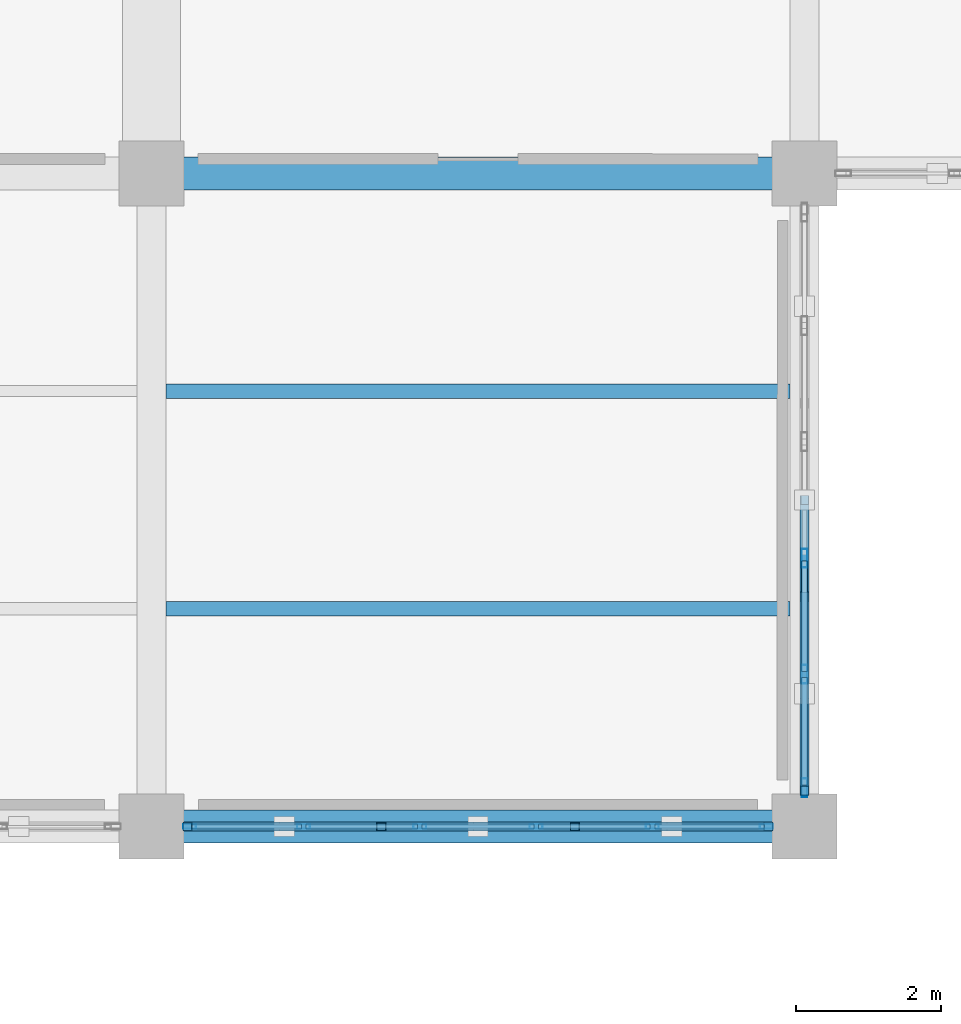
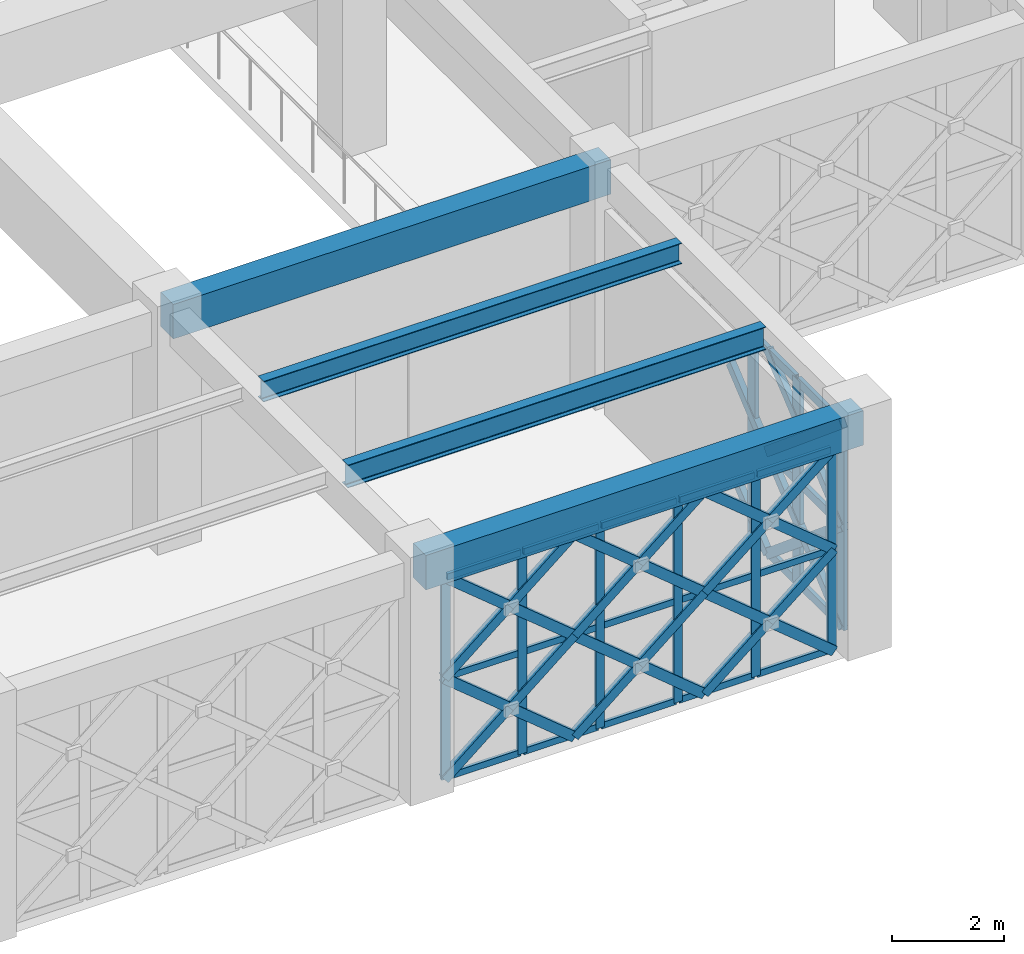
# One storey, part 95 of 155: 56 members, 4 beams, 2 elements without a shape of their own.
"""IFC4 building model written with IfcOpenShell, lengths in metres."""

import ifcopenshell
import ifcopenshell.guid

model = None  # the IFC model being written
_history = None  # IfcOwnerHistory: only IFC2X3 demands one
_inside = {}  # id of a spatial element -> (the spatial element, [elements in it])
_under = {}  # id of a project, library or spatial element -> (it, [spatial elements below it])
_declared = {}  # id of a project -> (the project, [libraries it declares])
_typed = {}  # id of a type object -> (the type object, [elements of that type])
_made_of = {}  # id of a material, layer set ... -> (it, [elements and type objects made of it])


def new_model(schema):
    """Start an empty IFC model of exactly this schema.

    Asked for "IFC4X3", IfcOpenShell would pick the latest addendum, in which some entities
    have other attributes; the version numbers below select the first issue.
    IFC2X3 requires an IfcOwnerHistory on every rooted entity: one is made here for all.
    """
    global model, _history
    if schema == "IFC4X3":
        model = ifcopenshell.file(schema_version=(4, 3, 0, 0))
    else:
        model = ifcopenshell.file(schema=schema)
    _inside.clear()
    _under.clear()
    _declared.clear()
    _typed.clear()
    _made_of.clear()
    _history = None
    if model.schema == "IFC2X3":
        org = make("IfcOrganization", Name="unknown")
        user = make(
            "IfcPersonAndOrganization",
            ThePerson=make("IfcPerson", FamilyName="unknown"),
            TheOrganization=org,
        )
        app = make(
            "IfcApplication",
            ApplicationDeveloper=org,
            Version="unknown",
            ApplicationFullName="unknown",
            ApplicationIdentifier="unknown",
        )
        _history = make(
            "IfcOwnerHistory",
            OwningUser=user,
            OwningApplication=app,
            ChangeAction="ADDED",
            CreationDate=0,
        )
    return model


def make(cls, **values):
    """One entity of the class cls with the attributes given. An attribute that is None is left unset."""
    return model.create_entity(
        cls, **{name: value for name, value in values.items() if value is not None}
    )


def rooted(cls, **values):
    """An entity with a GlobalId (a new one), such as an element, a storey or a relation."""
    return make(cls, GlobalId=ifcopenshell.guid.new(), OwnerHistory=_history, **values)


def si_unit(unit_type, name, prefix=None):
    """IfcSIUnit, for example si_unit("LENGTHUNIT", "METRE", prefix="MILLI")."""
    return make("IfcSIUnit", UnitType=unit_type, Prefix=prefix, Name=name)


def assignment(units):
    """IfcUnitAssignment: the units of a project."""
    return None if units is None else make("IfcUnitAssignment", Units=units)


def point(xyz):
    """IfcCartesianPoint."""
    return None if xyz is None else make("IfcCartesianPoint", Coordinates=xyz)


def direction(xyz):
    """IfcDirection."""
    return None if xyz is None else make("IfcDirection", DirectionRatios=xyz)


def frame(location, z_axis=None, x_axis=None):
    """IfcAxis2Placement3D, a coordinate frame: its origin and axes. An axis left out is left unset."""
    return make(
        "IfcAxis2Placement3D",
        Location=point(location),
        Axis=direction(z_axis),
        RefDirection=direction(x_axis),
    )


def frame_2d(location, x_axis=None):
    """IfcAxis2Placement2D, a coordinate frame in the plane: its origin and x axis."""
    return make(
        "IfcAxis2Placement2D", Location=point(location), RefDirection=direction(x_axis)
    )


def origin():
    """The frame at (0, 0, 0) with its axes left unset."""
    return frame((0.0, 0.0, 0.0))


def origin_2d():
    """The frame at (0, 0) in the plane with its x axis left unset."""
    return frame_2d((0.0, 0.0))


def place(relative_to, where):
    """IfcLocalPlacement: puts the frame where relative to a parent placement (None: the world)."""
    return make(
        "IfcLocalPlacement", PlacementRelTo=relative_to, RelativePlacement=where
    )


def context(
    kind, dimensions, precision=None, world=None, true_north=None, identifier=None
):
    """IfcGeometricRepresentationContext, for example the 3D "Model" context."""
    return make(
        "IfcGeometricRepresentationContext",
        ContextIdentifier=identifier,
        ContextType=kind,
        CoordinateSpaceDimension=dimensions,
        Precision=precision,
        WorldCoordinateSystem=world,
        TrueNorth=true_north,
    )


def subcontext(parent, identifier, kind, view, scale=None):
    """IfcGeometricRepresentationSubContext, for example "Body" below "Model"."""
    return make(
        "IfcGeometricRepresentationSubContext",
        ContextIdentifier=identifier,
        ContextType=kind,
        ParentContext=parent,
        TargetScale=scale,
        TargetView=view,
    )


def project(units=None, contexts=None):
    """IfcProject with its units and contexts."""
    return rooted(
        "IfcProject",
        Name="project",
        RepresentationContexts=contexts,
        UnitsInContext=assignment(units),
    )


def spatial(cls, under=None, at=None, **own):
    """A site, building, storey or space (cls), placed at a placement, below another one or the project."""
    s = rooted(cls, ObjectPlacement=at, **own)
    if under is not None:
        _under.setdefault(under.id(), (under, []))[1].append(s)
    return s


def profile(cls, at=None, kind="AREA", **sizes):
    """A parametric profile (cls). Its sizes go by their IFC names, for example OverallWidth=200.0."""
    return make(cls, ProfileType=kind, Position=at, **sizes)


def rectangle(**sizes):
    """IfcRectangleProfileDef."""
    return profile("IfcRectangleProfileDef", **sizes)


def hollow_rectangle(**sizes):
    """IfcRectangleHollowProfileDef."""
    return profile("IfcRectangleHollowProfileDef", **sizes)


def i_section(**sizes):
    """IfcIShapeProfileDef."""
    return profile("IfcIShapeProfileDef", **sizes)


def extrude(swept, where, along, depth):
    """IfcExtrudedAreaSolid: the profile swept, set in the frame where, extruded along a direction by depth."""
    return make(
        "IfcExtrudedAreaSolid",
        SweptArea=swept,
        Position=where,
        ExtrudedDirection=direction(along),
        Depth=depth,
    )


def shape(context_of_items, identifier, shape_type, items):
    """IfcShapeRepresentation: the items that make up one representation, for example the "Body"."""
    return make(
        "IfcShapeRepresentation",
        ContextOfItems=context_of_items,
        RepresentationIdentifier=identifier,
        RepresentationType=shape_type,
        Items=items,
    )


def material(Name=None, Category=None):
    """IfcMaterial."""
    return make("IfcMaterial", Name=Name, Category=Category)


def material_profile(
    of_material, cross_section, Name=None, Category=None, Priority=None
):
    """IfcMaterialProfile: a cross section and its material."""
    return make(
        "IfcMaterialProfile",
        Name=Name,
        Material=of_material,
        Profile=cross_section,
        Priority=Priority,
        Category=Category,
    )


def profile_set(profiles, Name=None, composite=None):
    """IfcMaterialProfileSet."""
    return make(
        "IfcMaterialProfileSet",
        Name=Name,
        MaterialProfiles=profiles,
        CompositeProfile=composite,
    )


def made_of(thing, what):
    """Note that an element or type object is made of a material, layer set ...; save() writes the relation."""
    if what is not None:
        _made_of.setdefault(what.id(), (what, []))[1].append(thing)
    return thing


def type_object(cls, material=None, **own):
    """A type object (cls), such as IfcWallType, which elements share."""
    return made_of(rooted(cls, **own), material)


def element(
    cls,
    number,
    at=None,
    inside=None,
    cuts=None,
    type_object=None,
    material=None,
    context=None,
    identifier="Body",
    shape_type=None,
    held_by="IfcProductDefinitionShape",
    body=None,
    shapes=None,
    **own,
):
    """One element of the class cls, such as IfcWall. Its Tag is "e" and its number.

    at: its placement. inside: the storey or other place that contains it. cuts: it is an
    opening in that element (IfcRelVoidsElement). A single representation is given by context,
    identifier, shape_type and body (its items); several are given by shapes. held_by: the class
    of the entity that holds the representations. save() writes the other relations.
    """
    e = rooted(cls, Tag="e%d" % number, ObjectPlacement=at, **own)
    if body is not None:
        shapes = [shape(context, identifier, shape_type, body)]
    if shapes is not None:
        e.Representation = make(held_by, Representations=shapes)
    if inside is not None:
        _inside.setdefault(inside.id(), (inside, []))[1].append(e)
    if cuts is not None:
        rooted(
            "IfcRelVoidsElement", RelatingBuildingElement=cuts, RelatedOpeningElement=e
        )
    if type_object is not None:
        _typed.setdefault(type_object.id(), (type_object, []))[1].append(e)
    return made_of(e, material)


def aggregate(whole, parts):
    """IfcRelAggregates: a whole, such as a stair, and the parts it consists of."""
    return rooted("IfcRelAggregates", RelatingObject=whole, RelatedObjects=parts)


def save(model, path):
    """Write the relations noted so far, then the file.

    IfcRelAggregates (storeys below a building ...), IfcRelContainedInSpatialStructure (elements
    in a storey), IfcRelDefinesByType, IfcRelAssociatesMaterial and IfcRelDeclares: one each for
    every whole, place, type object, material and project.
    """
    for whole, parts in _under.values():
        aggregate(whole, parts)
    for where, things in _inside.values():
        rooted(
            "IfcRelContainedInSpatialStructure",
            RelatedElements=things,
            RelatingStructure=where,
        )
    for kind, things in _typed.values():
        rooted("IfcRelDefinesByType", RelatedObjects=things, RelatingType=kind)
    for what, things in _made_of.values():
        rooted("IfcRelAssociatesMaterial", RelatedObjects=things, RelatingMaterial=what)
    for by, libraries in _declared.values():
        rooted("IfcRelDeclares", RelatingContext=by, RelatedDefinitions=libraries)
    model.write(path)


model = new_model("IFC4")

# Units and contexts
model_context = context("Model", 3, precision=1e-05, world=origin(), true_north=direction((0.0, 1.0)))
body_context = subcontext(model_context, "Body", "Model", "MODEL_VIEW")
ifc_project = project(units=[si_unit("LENGTHUNIT", "METRE"), si_unit("AREAUNIT", "SQUARE_METRE"), si_unit("VOLUMEUNIT", "CUBIC_METRE"), si_unit("PLANEANGLEUNIT", "RADIAN"), si_unit("MASSUNIT", "GRAM", prefix="KILO")], contexts=[model_context])

# Site, building, storey
site_placement = place(None, origin())
site = spatial("IfcSite", under=ifc_project, at=site_placement, CompositionType="ELEMENT")
building_placement = place(site_placement, origin())
building = spatial("IfcBuilding", under=site, at=building_placement, Name="Haizhuo Lancet Aquarium", CompositionType="ELEMENT")
storey_placement = place(building_placement, frame((0.0, 0.0, 10.800048828125)))
storey = spatial("IfcBuildingStorey", under=building, at=storey_placement, Name="L02", CompositionType="ELEMENT", Elevation=10.800048828125)

# Beams
ifc_material_1 = material(Name="Concrete C40/50", Category="concrete")
ifc_material_profile_1 = material_profile(ifc_material_1, rectangle(XDim=0.449951171875, YDim=0.75, at=origin_2d()), Name="RC-BM 450x750")
ifc_profile_set_1 = profile_set([ifc_material_profile_1], Name="Concrete C40/50")
beam_type_1 = type_object("IfcBeamType", Name="BM-RC-450x750", PredefinedType="BEAM", material=ifc_profile_set_1)
for number, where, z_axis, x_axis, name in (
    (1, (45.0, -36.0, 4.784912109375), (1.0, 0.0, 0.0), (0.0, 1.0, 0.0), "L02 V3 primary girder BM-L02-V3-014"),
    (2, (45.0, -27.0, 4.784912109375), (1.0, 0.0, 0.0), (0.0, 1.0, 0.0), "L02 V3 primary girder BM-L02-V3-015"),
):
    element("IfcBeam", number, at=place(storey_placement, frame(where, z_axis=z_axis, x_axis=x_axis)), inside=storey, type_object=beam_type_1, Name=name, PredefinedType="BEAM", context=body_context, shape_type="SweptSolid", body=[
        extrude(rectangle(XDim=0.449951171875, YDim=0.75, at=origin_2d()), origin(), (0.0, 0.0, 1.0), 9.0),
    ])

# Curtain wall, members
ifc_material_2 = material(Name="Aluminium 6063-T6", Category="aluminium")
curtain_wall_type_1 = type_object("IfcCurtainWallType", Name="CWO-8010x4410", PredefinedType="NOTDEFINED", material=ifc_material_2)
curtain_wall_1_placement = place(storey_placement, origin())
curtain_wall_1 = element("IfcCurtainWall", 3, at=curtain_wall_1_placement, inside=storey, type_object=curtain_wall_type_1, Name="L02 curtain wall CW-V3-L02-061", PredefinedType="NOTDEFINED")
ifc_material_profile_2 = material_profile(ifc_material_2, hollow_rectangle(XDim=0.06494140625, YDim=0.179931640625, WallThickness=0.00390625, at=origin_2d()), Name="ALU-M 65x180x4")
ifc_profile_set_2 = profile_set([ifc_material_profile_2], Name="Aluminium 6063-T6")
member_type_1 = type_object("IfcMemberType", Name="CW-MUL-1", PredefinedType="MULLION", material=ifc_profile_set_2)
member_1_placement = place(storey_placement, frame((53.472900390625, -36.0, 0.0), z_axis=(0.0, 0.0, 1.0), x_axis=(0.0, -1.0, 0.0)))
member_1 = element("IfcMember", 4, at=member_1_placement, type_object=member_type_1, Name="CWO-80x44 mullion 1", PredefinedType="MULLION", context=body_context, shape_type="SweptSolid", body=[
    extrude(hollow_rectangle(XDim=0.06494140625, YDim=0.179931640625, WallThickness=0.00390625, at=origin_2d()), origin(), (0.0, 0.0, 1.0), 4.409912109375),
])
member_2_placement = place(storey_placement, frame((51.903076171875, -36.0, 0.0), z_axis=(0.0, 0.0, 1.0), x_axis=(0.0, -1.0, 0.0)))
member_2 = element("IfcMember", 5, at=member_2_placement, type_object=member_type_1, Name="CWO-80x44 mullion 2", PredefinedType="MULLION", context=body_context, shape_type="SweptSolid", body=[
    extrude(hollow_rectangle(XDim=0.06494140625, YDim=0.179931640625, WallThickness=0.00390625, at=origin_2d()), origin(), (0.0, 0.0, 1.0), 4.409912109375),
])
member_3_placement = place(storey_placement, frame((50.301025390625, -36.0, 0.0), z_axis=(0.0, 0.0, 1.0), x_axis=(0.0, -1.0, 0.0)))
member_3 = element("IfcMember", 6, at=member_3_placement, type_object=member_type_1, Name="CWO-80x44 mullion 3", PredefinedType="MULLION", context=body_context, shape_type="SweptSolid", body=[
    extrude(hollow_rectangle(XDim=0.06494140625, YDim=0.179931640625, WallThickness=0.00390625, at=origin_2d()), origin(), (0.0, 0.0, 1.0), 4.409912109375),
])
member_4_placement = place(storey_placement, frame((48.698974609375, -36.0, 0.0), z_axis=(0.0, 0.0, 1.0), x_axis=(0.0, -1.0, 0.0)))
member_4 = element("IfcMember", 7, at=member_4_placement, type_object=member_type_1, Name="CWO-80x44 mullion 4", PredefinedType="MULLION", context=body_context, shape_type="SweptSolid", body=[
    extrude(hollow_rectangle(XDim=0.06494140625, YDim=0.179931640625, WallThickness=0.00390625, at=origin_2d()), origin(), (0.0, 0.0, 1.0), 4.409912109375),
])
member_5_placement = place(storey_placement, frame((47.096923828125, -36.0, 0.0), z_axis=(0.0, 0.0, 1.0), x_axis=(0.0, -1.0, 0.0)))
member_5 = element("IfcMember", 8, at=member_5_placement, type_object=member_type_1, Name="CWO-80x44 mullion 5", PredefinedType="MULLION", context=body_context, shape_type="SweptSolid", body=[
    extrude(hollow_rectangle(XDim=0.06494140625, YDim=0.179931640625, WallThickness=0.00390625, at=origin_2d()), origin(), (0.0, 0.0, 1.0), 4.409912109375),
])
member_6_placement = place(storey_placement, frame((45.527099609375, -36.0, 0.0), z_axis=(0.0, 0.0, 1.0), x_axis=(0.0, -1.0, 0.0)))
member_6 = element("IfcMember", 9, at=member_6_placement, type_object=member_type_1, Name="CWO-80x44 mullion 6", PredefinedType="MULLION", context=body_context, shape_type="SweptSolid", body=[
    extrude(hollow_rectangle(XDim=0.06494140625, YDim=0.179931640625, WallThickness=0.00390625, at=origin_2d()), origin(), (0.0, 0.0, 1.0), 4.409912109375),
])

curtain_wall_type_2 = type_object("IfcCurtainWallType", Name="CWO-8010x4460", PredefinedType="NOTDEFINED", material=ifc_material_2)
curtain_wall_2_placement = place(storey_placement, origin())
curtain_wall_2 = element("IfcCurtainWall", 10, at=curtain_wall_2_placement, inside=storey, type_object=curtain_wall_type_2, Name="L02 curtain wall CW-V3-L02-060", PredefinedType="NOTDEFINED")
ifc_material_profile_3 = material_profile(ifc_material_2, hollow_rectangle(XDim=0.080078125, YDim=0.260009765625, WallThickness=0.0048828125, at=origin_2d()), Name="ALU-M 80x260x5")
ifc_profile_set_3 = profile_set([ifc_material_profile_3], Name="Aluminium 6063-T6")
member_type_2 = type_object("IfcMemberType", Name="CW-MUL-3", PredefinedType="MULLION", material=ifc_profile_set_3)
member_7_placement = place(storey_placement, frame((54.0, -32.301025390625, 0.0), z_axis=(0.0, 0.0, 1.0), x_axis=(1.0, 0.0, 0.0)))
member_7 = element("IfcMember", 11, at=member_7_placement, type_object=member_type_2, Name="CWO-80x44 mullion 4", PredefinedType="MULLION", context=body_context, shape_type="SweptSolid", body=[
    extrude(hollow_rectangle(XDim=0.080078125, YDim=0.260009765625, WallThickness=0.0048828125, at=origin_2d()), origin(), (0.0, 0.0, 1.0), 4.4599609375),
])
member_8_placement = place(storey_placement, frame((54.0, -33.903076171875, 0.0), z_axis=(0.0, 0.0, 1.0), x_axis=(1.0, 0.0, 0.0)))
member_8 = element("IfcMember", 12, at=member_8_placement, type_object=member_type_2, Name="CWO-80x44 mullion 5", PredefinedType="MULLION", context=body_context, shape_type="SweptSolid", body=[
    extrude(hollow_rectangle(XDim=0.080078125, YDim=0.260009765625, WallThickness=0.0048828125, at=origin_2d()), origin(), (0.0, 0.0, 1.0), 4.4599609375),
])
member_9_placement = place(storey_placement, frame((54.0, -35.465087890625, 0.0), z_axis=(0.0, 0.0, 1.0), x_axis=(1.0, 0.0, 0.0)))
member_9 = element("IfcMember", 13, at=member_9_placement, type_object=member_type_2, Name="CWO-80x44 mullion 6", PredefinedType="MULLION", context=body_context, shape_type="SweptSolid", body=[
    extrude(hollow_rectangle(XDim=0.080078125, YDim=0.260009765625, WallThickness=0.0048828125, at=origin_2d()), origin(), (0.0, 0.0, 1.0), 4.4599609375),
])

# Member
ifc_material_profile_4 = material_profile(ifc_material_2, hollow_rectangle(XDim=0.06494140625, YDim=0.139892578125, WallThickness=0.00390625, at=origin_2d()), Name="ALU-T 65x140x4")
ifc_profile_set_4 = profile_set([ifc_material_profile_4], Name="Aluminium 6063-T6")
member_type_3 = type_object("IfcMemberType", Name="CW-TRN-1", PredefinedType="NOTDEFINED", material=ifc_profile_set_4)
member_10_placement = place(storey_placement, frame((53.43994140625, -36.0, 0.032958984375), z_axis=(-1.0, 0.0, 0.0), x_axis=(0.0, -1.0, 0.0)))
member_10 = element("IfcMember", 14, at=member_10_placement, type_object=member_type_3, Name="CWO-80x44 transom 1.1", ObjectType="TRANSOM", PredefinedType="USERDEFINED", context=body_context, shape_type="SweptSolid", body=[
    extrude(hollow_rectangle(XDim=0.06494140625, YDim=0.139892578125, WallThickness=0.00390625, at=origin_2d()), origin(), (0.0, 0.0, 1.0), 1.50390625),
])

member_11_placement = place(storey_placement, frame((53.43994140625, -36.0, 2.204833984375), z_axis=(-1.0, 0.0, 0.0), x_axis=(0.0, -1.0, 0.0)))
member_11 = element("IfcMember", 15, at=member_11_placement, type_object=member_type_3, Name="CWO-80x44 transom 1.2", ObjectType="TRANSOM", PredefinedType="USERDEFINED", context=body_context, shape_type="SweptSolid", body=[
    extrude(hollow_rectangle(XDim=0.06494140625, YDim=0.139892578125, WallThickness=0.00390625, at=origin_2d()), origin(), (0.0, 0.0, 1.0), 1.50390625),
])

member_12_placement = place(storey_placement, frame((53.43994140625, -36.0, 4.3779296875), z_axis=(-1.0, 0.0, 0.0), x_axis=(0.0, -1.0, 0.0)))
member_12 = element("IfcMember", 16, at=member_12_placement, type_object=member_type_3, Name="CWO-80x44 transom 1.3", ObjectType="TRANSOM", PredefinedType="USERDEFINED", context=body_context, shape_type="SweptSolid", body=[
    extrude(hollow_rectangle(XDim=0.06494140625, YDim=0.139892578125, WallThickness=0.00390625, at=origin_2d()), origin(), (0.0, 0.0, 1.0), 1.50390625),
])

member_13_placement = place(storey_placement, frame((51.8701171875, -36.0, 0.032958984375), z_axis=(-1.0, 0.0, 0.0), x_axis=(0.0, -1.0, 0.0)))
member_13 = element("IfcMember", 17, at=member_13_placement, type_object=member_type_3, Name="CWO-80x44 transom 2.1", ObjectType="TRANSOM", PredefinedType="USERDEFINED", context=body_context, shape_type="SweptSolid", body=[
    extrude(hollow_rectangle(XDim=0.06494140625, YDim=0.139892578125, WallThickness=0.00390625, at=origin_2d()), origin(), (0.0, 0.0, 1.0), 1.5361328125),
])

member_14_placement = place(storey_placement, frame((51.8701171875, -36.0, 2.204833984375), z_axis=(-1.0, 0.0, 0.0), x_axis=(0.0, -1.0, 0.0)))
member_14 = element("IfcMember", 18, at=member_14_placement, type_object=member_type_3, Name="CWO-80x44 transom 2.2", ObjectType="TRANSOM", PredefinedType="USERDEFINED", context=body_context, shape_type="SweptSolid", body=[
    extrude(hollow_rectangle(XDim=0.06494140625, YDim=0.139892578125, WallThickness=0.00390625, at=origin_2d()), origin(), (0.0, 0.0, 1.0), 1.5361328125),
])

member_15_placement = place(storey_placement, frame((51.8701171875, -36.0, 4.3779296875), z_axis=(-1.0, 0.0, 0.0), x_axis=(0.0, -1.0, 0.0)))
member_15 = element("IfcMember", 19, at=member_15_placement, type_object=member_type_3, Name="CWO-80x44 transom 2.3", ObjectType="TRANSOM", PredefinedType="USERDEFINED", context=body_context, shape_type="SweptSolid", body=[
    extrude(hollow_rectangle(XDim=0.06494140625, YDim=0.139892578125, WallThickness=0.00390625, at=origin_2d()), origin(), (0.0, 0.0, 1.0), 1.5361328125),
])

member_16_placement = place(storey_placement, frame((50.26904296875, -36.0, 0.032958984375), z_axis=(-1.0, 0.0, 0.0), x_axis=(0.0, -1.0, 0.0)))
member_16 = element("IfcMember", 20, at=member_16_placement, type_object=member_type_3, Name="CWO-80x44 transom 3.1", ObjectType="TRANSOM", PredefinedType="USERDEFINED", context=body_context, shape_type="SweptSolid", body=[
    extrude(hollow_rectangle(XDim=0.06494140625, YDim=0.139892578125, WallThickness=0.00390625, at=origin_2d()), origin(), (0.0, 0.0, 1.0), 1.5380859375),
])

member_17_placement = place(storey_placement, frame((50.26904296875, -36.0, 2.204833984375), z_axis=(-1.0, 0.0, 0.0), x_axis=(0.0, -1.0, 0.0)))
member_17 = element("IfcMember", 21, at=member_17_placement, type_object=member_type_3, Name="CWO-80x44 transom 3.2", ObjectType="TRANSOM", PredefinedType="USERDEFINED", context=body_context, shape_type="SweptSolid", body=[
    extrude(hollow_rectangle(XDim=0.06494140625, YDim=0.139892578125, WallThickness=0.00390625, at=origin_2d()), origin(), (0.0, 0.0, 1.0), 1.5380859375),
])

member_18_placement = place(storey_placement, frame((50.26904296875, -36.0, 4.3779296875), z_axis=(-1.0, 0.0, 0.0), x_axis=(0.0, -1.0, 0.0)))
member_18 = element("IfcMember", 22, at=member_18_placement, type_object=member_type_3, Name="CWO-80x44 transom 3.3", ObjectType="TRANSOM", PredefinedType="USERDEFINED", context=body_context, shape_type="SweptSolid", body=[
    extrude(hollow_rectangle(XDim=0.06494140625, YDim=0.139892578125, WallThickness=0.00390625, at=origin_2d()), origin(), (0.0, 0.0, 1.0), 1.5380859375),
])

member_19_placement = place(storey_placement, frame((48.666015625, -36.0, 0.032958984375), z_axis=(-1.0, 0.0, 0.0), x_axis=(0.0, -1.0, 0.0)))
member_19 = element("IfcMember", 23, at=member_19_placement, type_object=member_type_3, Name="CWO-80x44 transom 4.1", ObjectType="TRANSOM", PredefinedType="USERDEFINED", context=body_context, shape_type="SweptSolid", body=[
    extrude(hollow_rectangle(XDim=0.06494140625, YDim=0.139892578125, WallThickness=0.00390625, at=origin_2d()), origin(), (0.0, 0.0, 1.0), 1.5361328125),
])

member_20_placement = place(storey_placement, frame((48.666015625, -36.0, 2.204833984375), z_axis=(-1.0, 0.0, 0.0), x_axis=(0.0, -1.0, 0.0)))
member_20 = element("IfcMember", 24, at=member_20_placement, type_object=member_type_3, Name="CWO-80x44 transom 4.2", ObjectType="TRANSOM", PredefinedType="USERDEFINED", context=body_context, shape_type="SweptSolid", body=[
    extrude(hollow_rectangle(XDim=0.06494140625, YDim=0.139892578125, WallThickness=0.00390625, at=origin_2d()), origin(), (0.0, 0.0, 1.0), 1.5361328125),
])

member_21_placement = place(storey_placement, frame((48.666015625, -36.0, 4.3779296875), z_axis=(-1.0, 0.0, 0.0), x_axis=(0.0, -1.0, 0.0)))
member_21 = element("IfcMember", 25, at=member_21_placement, type_object=member_type_3, Name="CWO-80x44 transom 4.3", ObjectType="TRANSOM", PredefinedType="USERDEFINED", context=body_context, shape_type="SweptSolid", body=[
    extrude(hollow_rectangle(XDim=0.06494140625, YDim=0.139892578125, WallThickness=0.00390625, at=origin_2d()), origin(), (0.0, 0.0, 1.0), 1.5361328125),
])

member_22_placement = place(storey_placement, frame((47.06396484375, -36.0, 0.032958984375), z_axis=(-1.0, 0.0, 0.0), x_axis=(0.0, -1.0, 0.0)))
member_22 = element("IfcMember", 26, at=member_22_placement, type_object=member_type_3, Name="CWO-80x44 transom 5.1", ObjectType="TRANSOM", PredefinedType="USERDEFINED", context=body_context, shape_type="SweptSolid", body=[
    extrude(hollow_rectangle(XDim=0.06494140625, YDim=0.139892578125, WallThickness=0.00390625, at=origin_2d()), origin(), (0.0, 0.0, 1.0), 1.50390625),
])

member_23_placement = place(storey_placement, frame((47.06396484375, -36.0, 2.204833984375), z_axis=(-1.0, 0.0, 0.0), x_axis=(0.0, -1.0, 0.0)))
member_23 = element("IfcMember", 27, at=member_23_placement, type_object=member_type_3, Name="CWO-80x44 transom 5.2", ObjectType="TRANSOM", PredefinedType="USERDEFINED", context=body_context, shape_type="SweptSolid", body=[
    extrude(hollow_rectangle(XDim=0.06494140625, YDim=0.139892578125, WallThickness=0.00390625, at=origin_2d()), origin(), (0.0, 0.0, 1.0), 1.50390625),
])

member_24_placement = place(storey_placement, frame((47.06396484375, -36.0, 4.3779296875), z_axis=(-1.0, 0.0, 0.0), x_axis=(0.0, -1.0, 0.0)))
member_24 = element("IfcMember", 28, at=member_24_placement, type_object=member_type_3, Name="CWO-80x44 transom 5.3", ObjectType="TRANSOM", PredefinedType="USERDEFINED", context=body_context, shape_type="SweptSolid", body=[
    extrude(hollow_rectangle(XDim=0.06494140625, YDim=0.139892578125, WallThickness=0.00390625, at=origin_2d()), origin(), (0.0, 0.0, 1.0), 1.50390625),
])

aggregate(curtain_wall_1, [member_1, member_2, member_3, member_4, member_5, member_6, member_10, member_11, member_12, member_13, member_14, member_15, member_16, member_17, member_18, member_19, member_20, member_21, member_22, member_23, member_24])

ifc_material_profile_5 = material_profile(ifc_material_2, hollow_rectangle(XDim=0.080078125, YDim=0.18994140625, WallThickness=0.0048828125, at=origin_2d()), Name="ALU-T 80x190x5")
ifc_profile_set_5 = profile_set([ifc_material_profile_5], Name="Aluminium 6063-T6")
member_type_4 = type_object("IfcMemberType", Name="CW-TRN-3", PredefinedType="NOTDEFINED", material=ifc_profile_set_5)
member_25_placement = place(storey_placement, frame((54.0, -32.341064453125, 0.0400390625), z_axis=(0.0, -1.0, 0.0), x_axis=(1.0, 0.0, 0.0)))
member_25 = element("IfcMember", 29, at=member_25_placement, type_object=member_type_4, Name="CWO-80x44 transom 4.1", ObjectType="TRANSOM", PredefinedType="USERDEFINED", context=body_context, shape_type="SweptSolid", body=[
    extrude(hollow_rectangle(XDim=0.080078125, YDim=0.18994140625, WallThickness=0.0048828125, at=origin_2d()), origin(), (0.0, 0.0, 1.0), 1.52197265625),
])

member_26_placement = place(storey_placement, frame((54.0, -32.341064453125, 2.22998046875), z_axis=(0.0, -1.0, 0.0), x_axis=(1.0, 0.0, 0.0)))
member_26 = element("IfcMember", 30, at=member_26_placement, type_object=member_type_4, Name="CWO-80x44 transom 4.2", ObjectType="TRANSOM", PredefinedType="USERDEFINED", context=body_context, shape_type="SweptSolid", body=[
    extrude(hollow_rectangle(XDim=0.080078125, YDim=0.18994140625, WallThickness=0.0048828125, at=origin_2d()), origin(), (0.0, 0.0, 1.0), 1.52197265625),
])

member_27_placement = place(storey_placement, frame((54.0, -32.341064453125, 4.419921875), z_axis=(0.0, -1.0, 0.0), x_axis=(1.0, 0.0, 0.0)))
member_27 = element("IfcMember", 31, at=member_27_placement, type_object=member_type_4, Name="CWO-80x44 transom 4.3", ObjectType="TRANSOM", PredefinedType="USERDEFINED", context=body_context, shape_type="SweptSolid", body=[
    extrude(hollow_rectangle(XDim=0.080078125, YDim=0.18994140625, WallThickness=0.0048828125, at=origin_2d()), origin(), (0.0, 0.0, 1.0), 1.52197265625),
])

member_28_placement = place(storey_placement, frame((54.0, -33.943115234375, 0.0400390625), z_axis=(0.0, -1.0, 0.0), x_axis=(1.0, 0.0, 0.0)))
member_28 = element("IfcMember", 32, at=member_28_placement, type_object=member_type_4, Name="CWO-80x44 transom 5.1", ObjectType="TRANSOM", PredefinedType="USERDEFINED", context=body_context, shape_type="SweptSolid", body=[
    extrude(hollow_rectangle(XDim=0.080078125, YDim=0.18994140625, WallThickness=0.0048828125, at=origin_2d()), origin(), (0.0, 0.0, 1.0), 1.48193359375),
])

member_29_placement = place(storey_placement, frame((54.0, -33.943115234375, 2.22998046875), z_axis=(0.0, -1.0, 0.0), x_axis=(1.0, 0.0, 0.0)))
member_29 = element("IfcMember", 33, at=member_29_placement, type_object=member_type_4, Name="CWO-80x44 transom 5.2", ObjectType="TRANSOM", PredefinedType="USERDEFINED", context=body_context, shape_type="SweptSolid", body=[
    extrude(hollow_rectangle(XDim=0.080078125, YDim=0.18994140625, WallThickness=0.0048828125, at=origin_2d()), origin(), (0.0, 0.0, 1.0), 1.48193359375),
])

member_30_placement = place(storey_placement, frame((54.0, -33.943115234375, 4.419921875), z_axis=(0.0, -1.0, 0.0), x_axis=(1.0, 0.0, 0.0)))
member_30 = element("IfcMember", 34, at=member_30_placement, type_object=member_type_4, Name="CWO-80x44 transom 5.3", ObjectType="TRANSOM", PredefinedType="USERDEFINED", context=body_context, shape_type="SweptSolid", body=[
    extrude(hollow_rectangle(XDim=0.080078125, YDim=0.18994140625, WallThickness=0.0048828125, at=origin_2d()), origin(), (0.0, 0.0, 1.0), 1.48193359375),
])

aggregate(curtain_wall_2, [member_7, member_8, member_9, member_25, member_26, member_27, member_28, member_29, member_30])

# Beams
ifc_material_3 = material(Name="Steel S355", Category="steel")
ifc_material_profile_6 = material_profile(ifc_material_3, i_section(OverallWidth=0.199951171875, OverallDepth=0.449951171875, WebThickness=0.009033203125, FlangeThickness=0.013916015625, FilletRadius=0.01806640625, at=origin_2d()), Name="HN 450x200x9x14")
ifc_profile_set_6 = profile_set([ifc_material_profile_6], Name="Steel S355")
beam_type_2 = type_object("IfcBeamType", Name="JST-ST-HN450", PredefinedType="JOIST", material=ifc_profile_set_6)
beam_1_placement = place(storey_placement, frame((45.199951171875, -30.0, 4.93505859375), z_axis=(1.0, 0.0, 0.0), x_axis=(0.0, 1.0, 0.0)))
element("IfcBeam", 35, at=beam_1_placement, inside=storey, type_object=beam_type_2, Name="L02 V3 secondary floor joist 8", PredefinedType="JOIST", context=body_context, shape_type="SweptSolid", body=[
    extrude(i_section(OverallWidth=0.199951171875, OverallDepth=0.449951171875, WebThickness=0.009033203125, FlangeThickness=0.013916015625, FilletRadius=0.01806640625, at=origin_2d()), origin(), (0.0, 0.0, 1.0), 8.60009765625),
])
ifc_material_profile_7 = material_profile(ifc_material_3, i_section(OverallWidth=0.199951171875, OverallDepth=0.5, WebThickness=0.010009765625, FlangeThickness=0.01611328125, FilletRadius=0.02001953125, at=origin_2d()), Name="HN 500x200x10x16")
ifc_profile_set_7 = profile_set([ifc_material_profile_7], Name="Steel S355")
beam_type_3 = type_object("IfcBeamType", Name="JST-ST-HN500", PredefinedType="JOIST", material=ifc_profile_set_7)
beam_2_placement = place(storey_placement, frame((45.199951171875, -33.0, 4.909912109375), z_axis=(1.0, 0.0, 0.0), x_axis=(0.0, 1.0, 0.0)))
element("IfcBeam", 36, at=beam_2_placement, inside=storey, type_object=beam_type_3, Name="L02 V3 secondary floor joist 7", PredefinedType="JOIST", context=body_context, shape_type="SweptSolid", body=[
    extrude(i_section(OverallWidth=0.199951171875, OverallDepth=0.5, WebThickness=0.010009765625, FlangeThickness=0.01611328125, FilletRadius=0.02001953125, at=origin_2d()), origin(), (0.0, 0.0, 1.0), 8.60009765625),
])

# Members
ifc_material_profile_8 = material_profile(ifc_material_3, hollow_rectangle(XDim=0.1201171875, YDim=0.199951171875, WallThickness=0.008056640625, at=origin_2d()), Name="RHS 120x200x8")
ifc_profile_set_8 = profile_set([ifc_material_profile_8], Name="Steel S355")
member_type_5 = type_object("IfcMemberType", Name="MEM-LB-RHS120x200", PredefinedType="BRACE", material=ifc_profile_set_8)
for number, where, z_axis, x_axis, name in (
    (37, (54.0, -32.8349609375, 0.0), (0.0, 0.767507480131, 0.641039989348), (-1.0, 0.0, 0.0), "Gothic lancet split diagonal brace CW-V3-L02-060 3B1"),
    (38, (54.0, -32.8349609375, 2.22998046875), (0.0, 0.767507480131, 0.641039989348), (-1.0, 0.0, 0.0), "Gothic lancet split diagonal brace CW-V3-L02-060 4B1"),
):
    element("IfcMember", number, at=place(storey_placement, frame(where, z_axis=z_axis, x_axis=x_axis)), inside=storey, type_object=member_type_5, Name=name, PredefinedType="BRACE", context=body_context, shape_type="SweptSolid", body=[
        extrude(hollow_rectangle(XDim=0.1201171875, YDim=0.199951171875, WallThickness=0.008056640625, at=origin_2d()), origin(), (0.0, 0.0, 1.0), 1.7392578125),
    ])
member_31_placement = place(storey_placement, frame((54.0, -32.8349609375, 0.0), z_axis=(0.0, -0.767507480131, 0.641039989348), x_axis=(1.0, 0.0, 0.0)))
element("IfcMember", 39, at=member_31_placement, inside=storey, type_object=member_type_5, Name="Gothic lancet continuous diagonal brace CW-V3-L02-060 5A", PredefinedType="BRACE", context=body_context, shape_type="SweptSolid", body=[
    extrude(hollow_rectangle(XDim=0.1201171875, YDim=0.199951171875, WallThickness=0.008056640625, at=origin_2d()), origin(), (0.0, 0.0, 1.0), 3.478759765625),
])
for number, where, z_axis, x_axis, name in (
    (40, (54.0, -35.5048828125, 0.0), (0.0, 0.767507480131, 0.641039989348), (-1.0, 0.0, 0.0), "Gothic lancet split diagonal brace CW-V3-L02-060 5B1"),
    (41, (54.0, -34.169921875, 1.114990234375), (0.0, 0.767507480131, 0.641039989348), (-1.0, 0.0, 0.0), "Gothic lancet split diagonal brace CW-V3-L02-060 5B2"),
):
    element("IfcMember", number, at=place(storey_placement, frame(where, z_axis=z_axis, x_axis=x_axis)), inside=storey, type_object=member_type_5, Name=name, PredefinedType="BRACE", context=body_context, shape_type="SweptSolid", body=[
        extrude(hollow_rectangle(XDim=0.1201171875, YDim=0.199951171875, WallThickness=0.008056640625, at=origin_2d()), origin(), (0.0, 0.0, 1.0), 1.7392578125),
    ])
member_32_placement = place(storey_placement, frame((54.0, -32.8349609375, 2.22998046875), z_axis=(0.0, -0.767507480131, 0.641039989348), x_axis=(1.0, 0.0, 0.0)))
element("IfcMember", 42, at=member_32_placement, inside=storey, type_object=member_type_5, Name="Gothic lancet continuous diagonal brace CW-V3-L02-060 6A", PredefinedType="BRACE", context=body_context, shape_type="SweptSolid", body=[
    extrude(hollow_rectangle(XDim=0.1201171875, YDim=0.199951171875, WallThickness=0.008056640625, at=origin_2d()), origin(), (0.0, 0.0, 1.0), 3.478759765625),
])
for number, where, z_axis, x_axis, name in (
    (43, (54.0, -35.5048828125, 2.22998046875), (0.0, 0.767507480131, 0.641039989348), (-1.0, 0.0, 0.0), "Gothic lancet split diagonal brace CW-V3-L02-060 6B1"),
    (44, (54.0, -34.169921875, 3.344970703125), (0.0, 0.767507480131, 0.641039989348), (-1.0, 0.0, 0.0), "Gothic lancet split diagonal brace CW-V3-L02-060 6B2"),
):
    element("IfcMember", number, at=place(storey_placement, frame(where, z_axis=z_axis, x_axis=x_axis)), inside=storey, type_object=member_type_5, Name=name, PredefinedType="BRACE", context=body_context, shape_type="SweptSolid", body=[
        extrude(hollow_rectangle(XDim=0.1201171875, YDim=0.199951171875, WallThickness=0.008056640625, at=origin_2d()), origin(), (0.0, 0.0, 1.0), 1.7392578125),
    ])
member_33_placement = place(storey_placement, frame((53.5048828125, -36.0, 0.0), z_axis=(-0.771068610934, 0.0, 0.636752068887), x_axis=(0.0, -1.0, 0.0)))
element("IfcMember", 45, at=member_33_placement, inside=storey, type_object=member_type_5, Name="Gothic lancet continuous diagonal brace CW-V3-L02-061 1A", PredefinedType="BRACE", context=body_context, shape_type="SweptSolid", body=[
    extrude(hollow_rectangle(XDim=0.1201171875, YDim=0.199951171875, WallThickness=0.008056640625, at=origin_2d()), origin(), (0.0, 0.0, 1.0), 3.462646484375),
])
member_34_placement = place(storey_placement, frame((50.8349609375, -36.0, 0.0), z_axis=(0.771172467693, 0.0, 0.63662628368), x_axis=(0.0, 1.0, 0.0)))
element("IfcMember", 46, at=member_34_placement, inside=storey, type_object=member_type_5, Name="Gothic lancet split diagonal brace CW-V3-L02-061 1B1", PredefinedType="BRACE", context=body_context, shape_type="SweptSolid", body=[
    extrude(hollow_rectangle(XDim=0.1201171875, YDim=0.199951171875, WallThickness=0.008056640625, at=origin_2d()), origin(), (0.0, 0.0, 1.0), 1.731201171875),
])
member_35_placement = place(storey_placement, frame((52.169921875, -36.0, 1.10205078125), z_axis=(0.77096476164, 0.0, 0.636877803279), x_axis=(0.0, 1.0, 0.0)))
element("IfcMember", 47, at=member_35_placement, inside=storey, type_object=member_type_5, Name="Gothic lancet split diagonal brace CW-V3-L02-061 1B2", PredefinedType="BRACE", context=body_context, shape_type="SweptSolid", body=[
    extrude(hollow_rectangle(XDim=0.1201171875, YDim=0.199951171875, WallThickness=0.008056640625, at=origin_2d()), origin(), (0.0, 0.0, 1.0), 1.7314453125),
])
member_36_placement = place(storey_placement, frame((53.5048828125, -36.0, 2.204833984375), z_axis=(-0.771033993673, 0.0, 0.636793985996), x_axis=(0.0, -1.0, 0.0)))
element("IfcMember", 48, at=member_36_placement, inside=storey, type_object=member_type_5, Name="Gothic lancet continuous diagonal brace CW-V3-L02-061 2A", PredefinedType="BRACE", context=body_context, shape_type="SweptSolid", body=[
    extrude(hollow_rectangle(XDim=0.1201171875, YDim=0.199951171875, WallThickness=0.008056640625, at=origin_2d()), origin(), (0.0, 0.0, 1.0), 3.462890625),
])
member_37_placement = place(storey_placement, frame((50.8349609375, -36.0, 2.204833984375), z_axis=(0.770895532931, 0.0, 0.636961597985), x_axis=(0.0, 1.0, 0.0)))
element("IfcMember", 49, at=member_37_placement, inside=storey, type_object=member_type_5, Name="Gothic lancet split diagonal brace CW-V3-L02-061 2B1", PredefinedType="BRACE", context=body_context, shape_type="SweptSolid", body=[
    extrude(hollow_rectangle(XDim=0.1201171875, YDim=0.199951171875, WallThickness=0.008056640625, at=origin_2d()), origin(), (0.0, 0.0, 1.0), 1.731689453125),
])
member_38_placement = place(storey_placement, frame((52.169921875, -36.0, 3.307861328125), z_axis=(0.771172467693, 0.0, 0.63662628368), x_axis=(0.0, 1.0, 0.0)))
element("IfcMember", 50, at=member_38_placement, inside=storey, type_object=member_type_5, Name="Gothic lancet split diagonal brace CW-V3-L02-061 2B2", PredefinedType="BRACE", context=body_context, shape_type="SweptSolid", body=[
    extrude(hollow_rectangle(XDim=0.1201171875, YDim=0.199951171875, WallThickness=0.008056640625, at=origin_2d()), origin(), (0.0, 0.0, 1.0), 1.731201171875),
])
member_39_placement = place(storey_placement, frame((50.8349609375, -36.0, 0.0), z_axis=(-0.771068610934, 0.0, 0.636752068887), x_axis=(0.0, -1.0, 0.0)))
element("IfcMember", 51, at=member_39_placement, inside=storey, type_object=member_type_5, Name="Gothic lancet continuous diagonal brace CW-V3-L02-061 3A", PredefinedType="BRACE", context=body_context, shape_type="SweptSolid", body=[
    extrude(hollow_rectangle(XDim=0.1201171875, YDim=0.199951171875, WallThickness=0.008056640625, at=origin_2d()), origin(), (0.0, 0.0, 1.0), 3.462646484375),
])
member_40_placement = place(storey_placement, frame((48.1650390625, -36.0, 0.0), z_axis=(0.771172467693, 0.0, 0.63662628368), x_axis=(0.0, 1.0, 0.0)))
element("IfcMember", 52, at=member_40_placement, inside=storey, type_object=member_type_5, Name="Gothic lancet split diagonal brace CW-V3-L02-061 3B1", PredefinedType="BRACE", context=body_context, shape_type="SweptSolid", body=[
    extrude(hollow_rectangle(XDim=0.1201171875, YDim=0.199951171875, WallThickness=0.008056640625, at=origin_2d()), origin(), (0.0, 0.0, 1.0), 1.731201171875),
])
member_41_placement = place(storey_placement, frame((49.5, -36.0, 1.10205078125), z_axis=(0.77096476164, 0.0, 0.636877803279), x_axis=(0.0, 1.0, 0.0)))
element("IfcMember", 53, at=member_41_placement, inside=storey, type_object=member_type_5, Name="Gothic lancet split diagonal brace CW-V3-L02-061 3B2", PredefinedType="BRACE", context=body_context, shape_type="SweptSolid", body=[
    extrude(hollow_rectangle(XDim=0.1201171875, YDim=0.199951171875, WallThickness=0.008056640625, at=origin_2d()), origin(), (0.0, 0.0, 1.0), 1.7314453125),
])
member_42_placement = place(storey_placement, frame((50.8349609375, -36.0, 2.204833984375), z_axis=(-0.771033993673, 0.0, 0.636793985996), x_axis=(0.0, -1.0, 0.0)))
element("IfcMember", 54, at=member_42_placement, inside=storey, type_object=member_type_5, Name="Gothic lancet continuous diagonal brace CW-V3-L02-061 4A", PredefinedType="BRACE", context=body_context, shape_type="SweptSolid", body=[
    extrude(hollow_rectangle(XDim=0.1201171875, YDim=0.199951171875, WallThickness=0.008056640625, at=origin_2d()), origin(), (0.0, 0.0, 1.0), 3.462890625),
])
member_43_placement = place(storey_placement, frame((48.1650390625, -36.0, 2.204833984375), z_axis=(0.770895532931, 0.0, 0.636961597985), x_axis=(0.0, 1.0, 0.0)))
element("IfcMember", 55, at=member_43_placement, inside=storey, type_object=member_type_5, Name="Gothic lancet split diagonal brace CW-V3-L02-061 4B1", PredefinedType="BRACE", context=body_context, shape_type="SweptSolid", body=[
    extrude(hollow_rectangle(XDim=0.1201171875, YDim=0.199951171875, WallThickness=0.008056640625, at=origin_2d()), origin(), (0.0, 0.0, 1.0), 1.731689453125),
])
member_44_placement = place(storey_placement, frame((49.5, -36.0, 3.307861328125), z_axis=(0.771172467693, 0.0, 0.63662628368), x_axis=(0.0, 1.0, 0.0)))
element("IfcMember", 56, at=member_44_placement, inside=storey, type_object=member_type_5, Name="Gothic lancet split diagonal brace CW-V3-L02-061 4B2", PredefinedType="BRACE", context=body_context, shape_type="SweptSolid", body=[
    extrude(hollow_rectangle(XDim=0.1201171875, YDim=0.199951171875, WallThickness=0.008056640625, at=origin_2d()), origin(), (0.0, 0.0, 1.0), 1.731201171875),
])
member_45_placement = place(storey_placement, frame((48.1650390625, -36.0, 0.0), z_axis=(-0.771068610934, 0.0, 0.636752068887), x_axis=(0.0, -1.0, 0.0)))
element("IfcMember", 57, at=member_45_placement, inside=storey, type_object=member_type_5, Name="Gothic lancet continuous diagonal brace CW-V3-L02-061 5A", PredefinedType="BRACE", context=body_context, shape_type="SweptSolid", body=[
    extrude(hollow_rectangle(XDim=0.1201171875, YDim=0.199951171875, WallThickness=0.008056640625, at=origin_2d()), origin(), (0.0, 0.0, 1.0), 3.462646484375),
])
member_46_placement = place(storey_placement, frame((45.4951171875, -36.0, 0.0), z_axis=(0.771172467693, 0.0, 0.63662628368), x_axis=(0.0, 1.0, 0.0)))
element("IfcMember", 58, at=member_46_placement, inside=storey, type_object=member_type_5, Name="Gothic lancet split diagonal brace CW-V3-L02-061 5B1", PredefinedType="BRACE", context=body_context, shape_type="SweptSolid", body=[
    extrude(hollow_rectangle(XDim=0.1201171875, YDim=0.199951171875, WallThickness=0.008056640625, at=origin_2d()), origin(), (0.0, 0.0, 1.0), 1.731201171875),
])
member_47_placement = place(storey_placement, frame((46.830078125, -36.0, 1.10205078125), z_axis=(0.77096476164, 0.0, 0.636877803279), x_axis=(0.0, 1.0, 0.0)))
element("IfcMember", 59, at=member_47_placement, inside=storey, type_object=member_type_5, Name="Gothic lancet split diagonal brace CW-V3-L02-061 5B2", PredefinedType="BRACE", context=body_context, shape_type="SweptSolid", body=[
    extrude(hollow_rectangle(XDim=0.1201171875, YDim=0.199951171875, WallThickness=0.008056640625, at=origin_2d()), origin(), (0.0, 0.0, 1.0), 1.7314453125),
])
member_48_placement = place(storey_placement, frame((48.1650390625, -36.0, 2.204833984375), z_axis=(-0.771033993673, 0.0, 0.636793985996), x_axis=(0.0, -1.0, 0.0)))
element("IfcMember", 60, at=member_48_placement, inside=storey, type_object=member_type_5, Name="Gothic lancet continuous diagonal brace CW-V3-L02-061 6A", PredefinedType="BRACE", context=body_context, shape_type="SweptSolid", body=[
    extrude(hollow_rectangle(XDim=0.1201171875, YDim=0.199951171875, WallThickness=0.008056640625, at=origin_2d()), origin(), (0.0, 0.0, 1.0), 3.462890625),
])
member_49_placement = place(storey_placement, frame((45.4951171875, -36.0, 2.204833984375), z_axis=(0.770895532931, 0.0, 0.636961597985), x_axis=(0.0, 1.0, 0.0)))
element("IfcMember", 61, at=member_49_placement, inside=storey, type_object=member_type_5, Name="Gothic lancet split diagonal brace CW-V3-L02-061 6B1", PredefinedType="BRACE", context=body_context, shape_type="SweptSolid", body=[
    extrude(hollow_rectangle(XDim=0.1201171875, YDim=0.199951171875, WallThickness=0.008056640625, at=origin_2d()), origin(), (0.0, 0.0, 1.0), 1.731689453125),
])
member_50_placement = place(storey_placement, frame((46.830078125, -36.0, 3.307861328125), z_axis=(0.771172467693, 0.0, 0.63662628368), x_axis=(0.0, 1.0, 0.0)))
element("IfcMember", 62, at=member_50_placement, inside=storey, type_object=member_type_5, Name="Gothic lancet split diagonal brace CW-V3-L02-061 6B2", PredefinedType="BRACE", context=body_context, shape_type="SweptSolid", body=[
    extrude(hollow_rectangle(XDim=0.1201171875, YDim=0.199951171875, WallThickness=0.008056640625, at=origin_2d()), origin(), (0.0, 0.0, 1.0), 1.731201171875),
])

save(model, "model.ifc")
